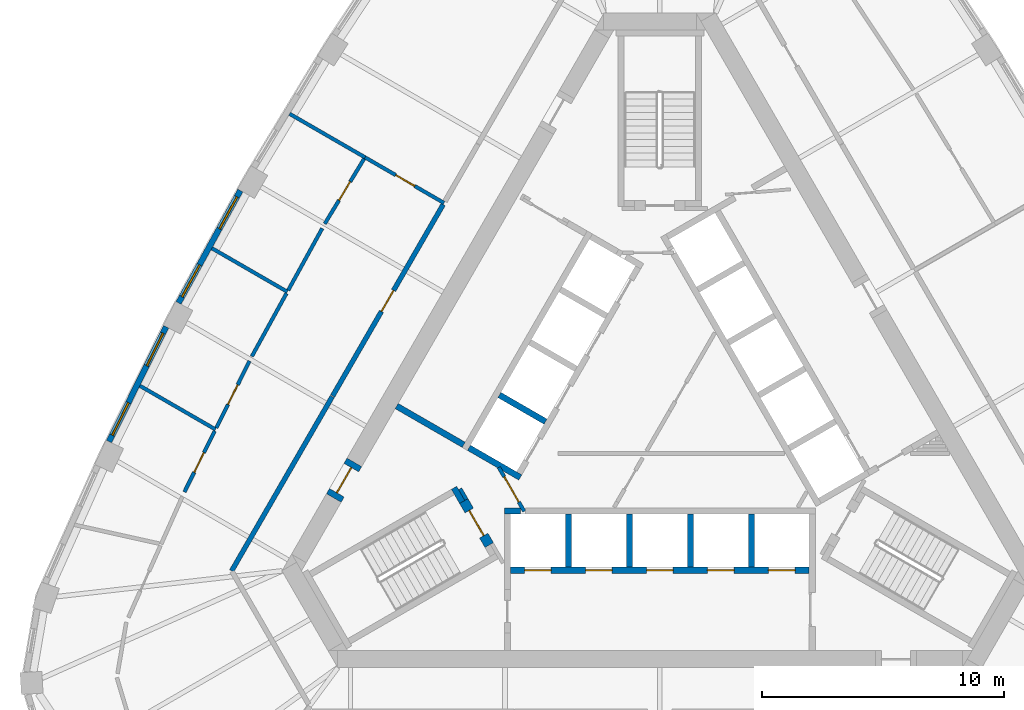
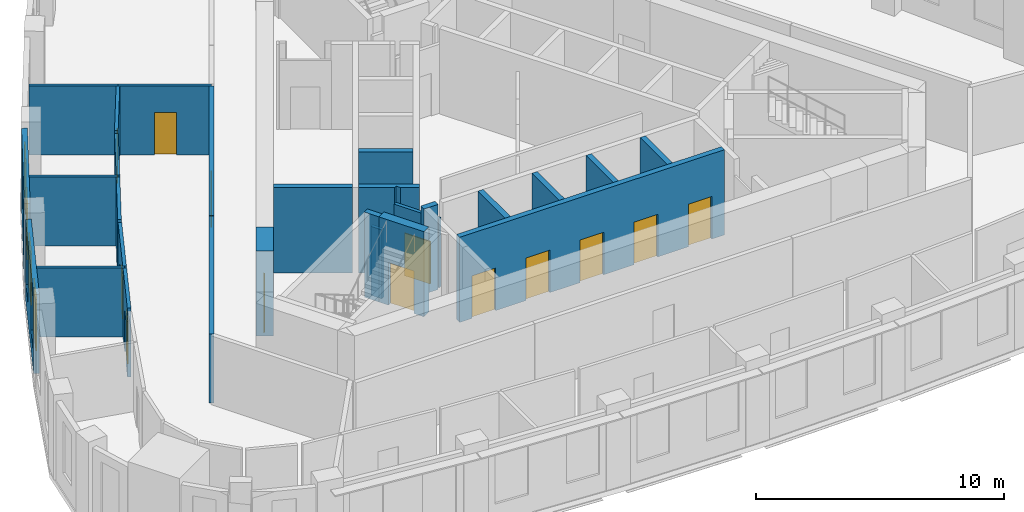
# One storey, part 4 of 11: 27 walls, 13 doors, 4 windows, 17 openings.
"""IFC4 building model written with IfcOpenShell, lengths in metres."""

from ifc_helpers import new_model, si_unit, direction, frame, frame_2d, origin, place, context, subcontext, project, spatial, polyline, rectangle, outline, extrude, material, layer, layer_set, type_object, element, fill, save


model = new_model("IFC4")

# Units and contexts
model_context = context("Model", 3, precision=1e-05, world=origin(), true_north=direction((0.0, 1.0)))
body_context = subcontext(model_context, "Body", "Model", "MODEL_VIEW")
ifc_project = project(units=[si_unit("LENGTHUNIT", "METRE"), si_unit("AREAUNIT", "SQUARE_METRE"), si_unit("VOLUMEUNIT", "CUBIC_METRE"), si_unit("PLANEANGLEUNIT", "RADIAN"), si_unit("MASSUNIT", "GRAM", prefix="KILO")], contexts=[model_context])

# Site, building, storey
site_placement = place(None, origin())
site = spatial("IfcSite", under=ifc_project, at=site_placement, CompositionType="ELEMENT")
building_placement = place(site_placement, origin())
building = spatial("IfcBuilding", under=site, at=building_placement, Name="Mestral Congress Tower", CompositionType="ELEMENT")
storey_placement = place(building_placement, frame((0.0, 0.0, 252.0)))
storey = spatial("IfcBuildingStorey", under=building, at=storey_placement, Name="L59", CompositionType="ELEMENT", Elevation=252.0)

# Wall
ifc_material_1 = material(Name="Fire-rated board partition")
ifc_layer_1 = layer(ifc_material_1, 0.14990234375)
ifc_layer_set_1 = layer_set([ifc_layer_1], Name="Fire-rated board partition")
wall_type_1 = type_object("IfcWallType", Name="Core partition 150", PredefinedType="PARTITIONING", material=ifc_layer_set_1)
wall_1_placement = place(storey_placement, frame((-8.251953125, -2.958251953125, 0.0), z_axis=(0.0, 0.0, 1.0), x_axis=(0.500174715838, -0.865924508047, 0.0)))
element("IfcWall", 1, at=wall_1_placement, inside=storey, type_object=wall_type_1, Name="L59 core wall", PredefinedType="PARTITIONING", context=body_context, shape_type="SweptSolid", body=[
    extrude(rectangle(XDim=0.513916015625, YDim=0.14990234375, at=frame_2d((0.2568359375, 0.0))), origin(), (0.0, 0.0, 1.0), 3.39990234375),
])

# Wall, opening, door
wall_2_placement = place(storey_placement, frame((-5.606201171875, -3.8896484375, 0.0), z_axis=(0.0, 0.0, 1.0), x_axis=(-0.500027713859, 0.866009402589, 0.0)))
wall_2 = element("IfcWall", 2, at=wall_2_placement, inside=storey, type_object=wall_type_1, Name="L59 door wall", PredefinedType="PARTITIONING", context=body_context, shape_type="SweptSolid", body=[
    extrude(rectangle(XDim=2.10009765625, YDim=0.14990234375, at=frame_2d((1.050048828125, 0.0))), origin(), (0.0, 0.0, 1.0), 3.39990234375),
])
opening_1_placement = place(wall_2_placement, frame((0.449951171875, 0.0, 0.0)))
opening_1 = element("IfcOpeningElement", 3, at=opening_1_placement, cuts=wall_2, Name="Opening CD3-FF", PredefinedType="OPENING", context=body_context, shape_type="SweptSolid", body=[
    extrude(rectangle(XDim=1.199951171875, YDim=2.10009765625, at=frame_2d((0.60009765625, 1.050048828125))), frame((0.0, 0.0849609375, 0.0), z_axis=(0.0, -1.0, 0.0), x_axis=(1.0, 0.0, 0.0)), (0.0, 0.0, 1.0), 0.169921875),
])
ifc_material_2 = material(Name="Fire-rated steel door set", Category="steel")
door_type_1 = type_object("IfcDoorType", Name="Core door CD 1200x2100", OperationType="SINGLE_SWING_LEFT", PredefinedType="DOOR", material=ifc_material_2)
door_1_placement = place(opening_1_placement, origin())
door_1 = element("IfcDoor", 4, at=door_1_placement, inside=storey, type_object=door_type_1, Name="Door CD3-FF", OperationType="SINGLE_SWING_LEFT", OverallHeight=2.10009765625, OverallWidth=1.199951171875, PredefinedType="DOOR", context=body_context, shape_type="SweptSolid", body=[
    extrude(rectangle(XDim=1.199951171875, YDim=2.10009765625, at=frame_2d((0.60009765625, 1.050048828125))), frame((0.0, 0.02490234375, 0.0), z_axis=(0.0, -1.0, 0.0), x_axis=(1.0, 0.0, 0.0)), (0.0, 0.0, 1.0), 0.050048828125),
])
fill(opening_1, door_1)

ifc_material_3 = material(Name="Concrete C60/75", Category="concrete")
ifc_layer_2 = layer(ifc_material_3, 0.699951171875)
ifc_layer_set_2 = layer_set([ifc_layer_2], Name="Concrete C60/75")
wall_type_2 = type_object("IfcWallType", Name="Core wall RC 700", PredefinedType="SOLIDWALL", material=ifc_layer_set_2)
wall_3_placement = place(storey_placement, frame((-13.474853515625, -3.339111328125, 0.0), z_axis=(0.0, 0.0, 1.0), x_axis=(0.499954529098, 0.86605165483, 0.0)))
wall_3 = element("IfcWall", 5, at=wall_3_placement, inside=storey, type_object=wall_type_2, Name="L59 door wall", PredefinedType="SOLIDWALL", context=body_context, shape_type="SweptSolid", body=[
    extrude(rectangle(XDim=1.699951171875, YDim=0.699951171875, at=frame_2d((0.85009765625, 0.0))), origin(), (0.0, 0.0, 1.0), 4.199951171875),
])
opening_2_placement = place(wall_3_placement, frame((0.25, 0.0, 0.0)))
opening_2 = element("IfcOpeningElement", 6, at=opening_2_placement, cuts=wall_3, Name="Opening XD3", PredefinedType="OPENING", context=body_context, shape_type="SweptSolid", body=[
    extrude(rectangle(XDim=1.199951171875, YDim=2.10009765625, at=frame_2d((0.60009765625, 1.050048828125))), frame((0.0, 0.35986328125, 0.0), z_axis=(0.0, -1.0, 0.0), x_axis=(1.0, 0.0, 0.0)), (0.0, 0.0, 1.0), 0.719970703125),
])
door_type_2 = type_object("IfcDoorType", Name="Core door XD 1200x2100", OperationType="SINGLE_SWING_LEFT", PredefinedType="DOOR", material=ifc_material_2)
door_2_placement = place(opening_2_placement, origin())
door_2 = element("IfcDoor", 7, at=door_2_placement, inside=storey, type_object=door_type_2, Name="Door XD3", OperationType="SINGLE_SWING_LEFT", OverallHeight=2.10009765625, OverallWidth=1.199951171875, PredefinedType="DOOR", context=body_context, shape_type="SweptSolid", body=[
    extrude(rectangle(XDim=1.199951171875, YDim=2.10009765625, at=frame_2d((0.60009765625, 1.050048828125))), frame((0.0, 0.02490234375, 0.0), z_axis=(0.0, -1.0, 0.0), x_axis=(1.0, 0.0, 0.0)), (0.0, 0.0, 1.0), 0.050048828125),
])
fill(opening_2, door_2)

# Wall, openings, windows
ifc_material_4 = material(Name="Precast concrete C40/50 with limestone facing", Category="masonry")
ifc_layer_3 = layer(ifc_material_4, 0.239990234375)
ifc_layer_set_3 = layer_set([ifc_layer_3], Name="Precast concrete C40/50 with limestone facing")
wall_type_3 = type_object("IfcWallType", Name="Facade stone wall 240", PredefinedType="SOLIDWALL", material=ifc_layer_set_3)
wall_4_placement = place(storey_placement, frame((-17.338134765625, 9.367919921875, 0.0), z_axis=(0.0, 0.0, 1.0), x_axis=(-0.481925825015, -0.876212017256, 0.0)))
wall_4 = element("IfcWall", 8, at=wall_4_placement, inside=storey, type_object=wall_type_3, Name="Facade wall F2-03", PredefinedType="SOLIDWALL", context=body_context, shape_type="SweptSolid", body=[
    extrude(rectangle(XDim=5.298583984375, YDim=0.239990234375, at=frame_2d((2.6494140625, 0.0))), origin(), (0.0, 0.0, 1.0), 3.89990234375),
])
opening_3_placement = place(wall_4_placement, frame((0.294677734375, 0.0, 0.89990234375)))
opening_3 = element("IfcOpeningElement", 9, at=opening_3_placement, cuts=wall_4, Name="Opening W4", PredefinedType="OPENING", context=body_context, shape_type="SweptSolid", body=[
    extrude(rectangle(XDim=1.5, YDim=2.550048828125, at=frame_2d((0.75, 1.27490234375))), frame((0.0, 0.1298828125, 0.0), z_axis=(0.0, -1.0, 0.0), x_axis=(1.0, 0.0, 0.0)), (0.0, 0.0, 1.0), 0.260009765625),
])
opening_4_placement = place(wall_4_placement, frame((3.503662109375, 0.0, 0.89990234375)))
opening_4 = element("IfcOpeningElement", 10, at=opening_4_placement, cuts=wall_4, Name="Opening W4", PredefinedType="OPENING", context=body_context, shape_type="SweptSolid", body=[
    extrude(rectangle(XDim=1.5, YDim=2.550048828125, at=frame_2d((0.75, 1.27490234375))), frame((0.0, 0.1298828125, 0.0), z_axis=(0.0, -1.0, 0.0), x_axis=(1.0, 0.0, 0.0)), (0.0, 0.0, 1.0), 0.260009765625),
])
ifc_material_5 = material(Name="Clear low-emissivity double glazing", Category="glass")
window_type = type_object("IfcWindowType", Name="Facade punched window 1500 x 2550 sill 900", PartitioningType="SINGLE_PANEL", PredefinedType="WINDOW", material=ifc_material_5)
window_1_placement = place(opening_3_placement, origin())
window_1 = element("IfcWindow", 11, at=window_1_placement, inside=storey, type_object=window_type, Name="Window F2-03a", OverallHeight=2.550048828125, OverallWidth=1.5, PartitioningType="SINGLE_PANEL", PredefinedType="WINDOW", context=body_context, shape_type="SweptSolid", body=[
    extrude(rectangle(XDim=1.5, YDim=2.550048828125, at=frame_2d((0.75, 1.27490234375))), frame((0.0, 0.0400390625, 0.0), z_axis=(0.0, -1.0, 0.0), x_axis=(1.0, 0.0, 0.0)), (0.0, 0.0, 1.0), 0.06005859375),
])
fill(opening_3, window_1)
window_2_placement = place(opening_4_placement, origin())
window_2 = element("IfcWindow", 12, at=window_2_placement, inside=storey, type_object=window_type, Name="Window F2-03b", OverallHeight=2.550048828125, OverallWidth=1.5, PartitioningType="SINGLE_PANEL", PredefinedType="WINDOW", context=body_context, shape_type="SweptSolid", body=[
    extrude(rectangle(XDim=1.5, YDim=2.550048828125, at=frame_2d((0.75, 1.27490234375))), frame((0.0, 0.0400390625, 0.0), z_axis=(0.0, -1.0, 0.0), x_axis=(1.0, 0.0, 0.0)), (0.0, 0.0, 1.0), 0.06005859375),
])
fill(opening_4, window_2)

wall_5_placement = place(storey_placement, frame((-20.407470703125, 3.739501953125, 0.0), z_axis=(0.0, 0.0, 1.0), x_axis=(-0.445129582031, -0.895466166419, 0.0)))
wall_5 = element("IfcWall", 13, at=wall_5_placement, inside=storey, type_object=wall_type_3, Name="Facade wall F2-04", PredefinedType="SOLIDWALL", context=body_context, shape_type="SweptSolid", body=[
    extrude(rectangle(XDim=5.29833984375, YDim=0.239990234375, at=frame_2d((2.649169921875, 0.0))), origin(), (0.0, 0.0, 1.0), 3.89990234375),
])
opening_5_placement = place(wall_5_placement, frame((0.294677734375, 0.0, 0.89990234375)))
opening_5 = element("IfcOpeningElement", 14, at=opening_5_placement, cuts=wall_5, Name="Opening W4", PredefinedType="OPENING", context=body_context, shape_type="SweptSolid", body=[
    extrude(rectangle(XDim=1.5, YDim=2.550048828125, at=frame_2d((0.75, 1.27490234375))), frame((0.0, 0.1298828125, 0.0), z_axis=(0.0, -1.0, 0.0), x_axis=(1.0, 0.0, 0.0)), (0.0, 0.0, 1.0), 0.260009765625),
])
opening_6_placement = place(wall_5_placement, frame((3.503662109375, 0.0, 0.89990234375)))
opening_6 = element("IfcOpeningElement", 15, at=opening_6_placement, cuts=wall_5, Name="Opening W4", PredefinedType="OPENING", context=body_context, shape_type="SweptSolid", body=[
    extrude(rectangle(XDim=1.5, YDim=2.550048828125, at=frame_2d((0.75, 1.27490234375))), frame((0.0, 0.1298828125, 0.0), z_axis=(0.0, -1.0, 0.0), x_axis=(1.0, 0.0, 0.0)), (0.0, 0.0, 1.0), 0.260009765625),
])
window_3_placement = place(opening_5_placement, origin())
window_3 = element("IfcWindow", 16, at=window_3_placement, inside=storey, type_object=window_type, Name="Window F2-04a", OverallHeight=2.550048828125, OverallWidth=1.5, PartitioningType="SINGLE_PANEL", PredefinedType="WINDOW", context=body_context, shape_type="SweptSolid", body=[
    extrude(rectangle(XDim=1.5, YDim=2.550048828125, at=frame_2d((0.75, 1.27490234375))), frame((0.0, 0.0400390625, 0.0), z_axis=(0.0, -1.0, 0.0), x_axis=(1.0, 0.0, 0.0)), (0.0, 0.0, 1.0), 0.06005859375),
])
fill(opening_5, window_3)
window_4_placement = place(opening_6_placement, origin())
window_4 = element("IfcWindow", 17, at=window_4_placement, inside=storey, type_object=window_type, Name="Window F2-04b", OverallHeight=2.550048828125, OverallWidth=1.5, PartitioningType="SINGLE_PANEL", PredefinedType="WINDOW", context=body_context, shape_type="SweptSolid", body=[
    extrude(rectangle(XDim=1.5, YDim=2.550048828125, at=frame_2d((0.75, 1.27490234375))), frame((0.0, 0.0400390625, 0.0), z_axis=(0.0, -1.0, 0.0), x_axis=(1.0, 0.0, 0.0)), (0.0, 0.0, 1.0), 0.06005859375),
])
fill(opening_6, window_4)

# Wall
ifc_material_6 = material(Name="Plasterboard partition on steel studs", Category="steel")
ifc_layer_4 = layer(ifc_material_6, 0.14990234375)
ifc_layer_set_4 = layer_set([ifc_layer_4], Name="Plasterboard partition on steel studs")
wall_type_4 = type_object("IfcWallType", Name="Office partition 150", PredefinedType="PARTITIONING", material=ifc_layer_set_4)
wall_6_placement = place(storey_placement, frame((-12.182373046875, 10.73828125, 0.0), z_axis=(0.0, 0.0, 1.0), x_axis=(-0.866042351264, 0.499970644955, 0.0)))
element("IfcWall", 18, at=wall_6_placement, inside=storey, type_object=wall_type_4, Name="Partition", PredefinedType="PARTITIONING", context=body_context, shape_type="SweptSolid", body=[
    extrude(rectangle(XDim=3.604736328125, YDim=0.14990234375, at=frame_2d((1.80224609375, 0.0))), origin(), (0.0, 0.0, 1.0), 3.39990234375),
])

# Wall, opening, door
wall_7_placement = place(storey_placement, frame((-12.189208984375, 10.7421875, 0.0), z_axis=(0.0, 0.0, 1.0), x_axis=(0.866023060049, -0.500004059447, 0.0)))
wall_7 = element("IfcWall", 19, at=wall_7_placement, inside=storey, type_object=wall_type_4, Name="Partition", PredefinedType="PARTITIONING", context=body_context, shape_type="SweptSolid", body=[
    extrude(rectangle(XDim=3.77734375, YDim=0.14990234375, at=frame_2d((1.888671875, 0.0))), origin(), (0.0, 0.0, 1.0), 3.39990234375),
])
opening_7_placement = place(wall_7_placement, frame((1.477294921875, 0.0, 0.0)))
opening_7 = element("IfcOpeningElement", 20, at=opening_7_placement, cuts=wall_7, Name="Opening O10-012", PredefinedType="OPENING", context=body_context, shape_type="SweptSolid", body=[
    extrude(rectangle(XDim=0.89990234375, YDim=2.10009765625, at=frame_2d((0.449951171875, 1.050048828125))), frame((0.0, 0.0849609375, 0.0), z_axis=(0.0, -1.0, 0.0), x_axis=(1.0, 0.0, 0.0)), (0.0, 0.0, 1.0), 0.169921875),
])
ifc_material_7 = material(Name="Timber door set", Category="wood")
door_type_3 = type_object("IfcDoorType", Name="Office door 900x2100", OperationType="SINGLE_SWING_LEFT", PredefinedType="DOOR", material=ifc_material_7)
door_3_placement = place(opening_7_placement, origin())
door_3 = element("IfcDoor", 21, at=door_3_placement, inside=storey, type_object=door_type_3, Name="Door O10-012", OperationType="SINGLE_SWING_RIGHT", OverallHeight=2.10009765625, OverallWidth=0.89990234375, PredefinedType="DOOR", context=body_context, shape_type="SweptSolid", body=[
    extrude(rectangle(XDim=0.89990234375, YDim=2.10009765625, at=frame_2d((0.449951171875, 1.050048828125))), frame((0.0, 0.02490234375, 0.0), z_axis=(0.0, -1.0, 0.0), x_axis=(1.0, 0.0, 0.0)), (0.0, 0.0, 1.0), 0.050048828125),
])
fill(opening_7, door_3)

# Wall
wall_8_placement = place(storey_placement, frame((-15.394287109375, 5.18310546875, 0.0), z_axis=(0.0, 0.0, 1.0), x_axis=(-0.866039935929, 0.499974828743, 0.0)))
element("IfcWall", 22, at=wall_8_placement, inside=storey, type_object=wall_type_4, Name="Partition", PredefinedType="PARTITIONING", context=body_context, shape_type="SweptSolid", body=[
    extrude(rectangle(XDim=3.600830078125, YDim=0.14990234375, at=frame_2d((1.80029296875, 0.0))), origin(), (0.0, 0.0, 1.0), 3.39990234375),
])

# Wall, opening, door
wall_9_placement = place(storey_placement, frame((-13.84765625, 7.994873046875, 0.0), z_axis=(0.0, 0.0, 1.0), x_axis=(0.51785968959, 0.855465570258, 0.0)))
wall_9 = element("IfcWall", 23, at=wall_9_placement, inside=storey, type_object=wall_type_4, Name="Partition", PredefinedType="PARTITIONING", context=body_context, shape_type="SweptSolid", body=[
    extrude(rectangle(XDim=3.134033203125, YDim=0.14990234375, at=frame_2d((1.56689453125, 0.0))), origin(), (0.0, 0.0, 1.0), 3.39990234375),
])
opening_8_placement = place(wall_9_placement, frame((1.134033203125, 0.0, 0.0)))
opening_8 = element("IfcOpeningElement", 24, at=opening_8_placement, cuts=wall_9, Name="Opening O10-013", PredefinedType="OPENING", context=body_context, shape_type="SweptSolid", body=[
    extrude(rectangle(XDim=0.89990234375, YDim=2.10009765625, at=frame_2d((0.449951171875, 1.050048828125))), frame((0.0, 0.0849609375, 0.0), z_axis=(0.0, -1.0, 0.0), x_axis=(1.0, 0.0, 0.0)), (0.0, 0.0, 1.0), 0.169921875),
])
door_4_placement = place(opening_8_placement, origin())
door_4 = element("IfcDoor", 25, at=door_4_placement, inside=storey, type_object=door_type_3, Name="Door O10-013", OperationType="SINGLE_SWING_RIGHT", OverallHeight=2.10009765625, OverallWidth=0.89990234375, PredefinedType="DOOR", context=body_context, shape_type="SweptSolid", body=[
    extrude(rectangle(XDim=0.89990234375, YDim=2.10009765625, at=frame_2d((0.449951171875, 1.050048828125))), frame((0.0, 0.02490234375, 0.0), z_axis=(0.0, -1.0, 0.0), x_axis=(1.0, 0.0, 0.0)), (0.0, 0.0, 1.0), 0.050048828125),
])
fill(opening_8, door_4)

# Walls
wall_10_placement = place(storey_placement, frame((-13.950927734375, 7.80712890625, 0.0), z_axis=(0.0, 0.0, 1.0), x_axis=(-0.481889860414, -0.876231797203, 0.0)))
element("IfcWall", 26, at=wall_10_placement, inside=storey, type_object=wall_type_4, Name="Partition", PredefinedType="PARTITIONING", context=body_context, shape_type="SweptSolid", body=[
    extrude(rectangle(XDim=2.919677734375, YDim=0.14990234375, at=frame_2d((1.4599609375, 0.0))), origin(), (0.0, 0.0, 1.0), 3.39990234375),
])
wall_11_placement = place(storey_placement, frame((-18.36328125, -0.505859375, 0.0), z_axis=(0.0, 0.0, 1.0), x_axis=(-0.866048087663, 0.499960708312, 0.0)))
element("IfcWall", 27, at=wall_11_placement, inside=storey, type_object=wall_type_4, Name="Partition", PredefinedType="PARTITIONING", context=body_context, shape_type="SweptSolid", body=[
    extrude(rectangle(XDim=3.607177734375, YDim=0.14990234375, at=frame_2d((1.8037109375, 0.0))), origin(), (0.0, 0.0, 1.0), 3.39990234375),
])
wall_12_placement = place(storey_placement, frame((-15.430419921875, 5.1171875, 0.0), z_axis=(0.0, 0.0, 1.0), x_axis=(-0.481893525381, -0.876229781619, 0.0)))
element("IfcWall", 28, at=wall_12_placement, inside=storey, type_object=wall_type_4, Name="Partition", PredefinedType="PARTITIONING", context=body_context, shape_type="SweptSolid", body=[
    extrude(rectangle(XDim=2.972412109375, YDim=0.14990234375, at=frame_2d((1.486328125, 0.0))), origin(), (0.0, 0.0, 1.0), 3.39990234375),
])

# Wall, opening, door
wall_13_placement = place(storey_placement, frame((-18.330078125, -0.4384765625, 0.0), z_axis=(0.0, 0.0, 1.0), x_axis=(0.445184199442, 0.895439014432, 0.0)))
wall_13 = element("IfcWall", 29, at=wall_13_placement, inside=storey, type_object=wall_type_4, Name="Partition", PredefinedType="PARTITIONING", context=body_context, shape_type="SweptSolid", body=[
    extrude(rectangle(XDim=3.08154296875, YDim=0.14990234375, at=frame_2d((1.540771484375, 0.0))), origin(), (0.0, 0.0, 1.0), 3.39990234375),
])
opening_9_placement = place(wall_13_placement, frame((1.081298828125, 0.0, 0.0)))
opening_9 = element("IfcOpeningElement", 30, at=opening_9_placement, cuts=wall_13, Name="Opening O10-014", PredefinedType="OPENING", context=body_context, shape_type="SweptSolid", body=[
    extrude(rectangle(XDim=0.89990234375, YDim=2.10009765625, at=frame_2d((0.449951171875, 1.050048828125))), frame((0.0, 0.0849609375, 0.0), z_axis=(0.0, -1.0, 0.0), x_axis=(1.0, 0.0, 0.0)), (0.0, 0.0, 1.0), 0.169921875),
])
door_5_placement = place(opening_9_placement, origin())
door_5 = element("IfcDoor", 31, at=door_5_placement, inside=storey, type_object=door_type_3, Name="Door O10-014", OperationType="SINGLE_SWING_LEFT", OverallHeight=2.10009765625, OverallWidth=0.89990234375, PredefinedType="DOOR", context=body_context, shape_type="SweptSolid", body=[
    extrude(rectangle(XDim=0.89990234375, YDim=2.10009765625, at=frame_2d((0.449951171875, 1.050048828125))), frame((0.0, 0.02490234375, 0.0), z_axis=(0.0, -1.0, 0.0), x_axis=(1.0, 0.0, 0.0)), (0.0, 0.0, 1.0), 0.050048828125),
])
fill(opening_9, door_5)

wall_14_placement = place(storey_placement, frame((-19.648193359375, -3.08984375, 0.0), z_axis=(0.0, 0.0, 1.0), x_axis=(0.445162501923, 0.89544980143, 0.0)))
wall_14 = element("IfcWall", 32, at=wall_14_placement, inside=storey, type_object=wall_type_4, Name="Partition", PredefinedType="PARTITIONING", context=body_context, shape_type="SweptSolid", body=[
    extrude(rectangle(XDim=2.810791015625, YDim=0.14990234375, at=frame_2d((1.4052734375, 0.0))), origin(), (0.0, 0.0, 1.0), 3.39990234375),
])
opening_10_placement = place(wall_14_placement, frame((0.91064453125, 0.0, 0.0)))
opening_10 = element("IfcOpeningElement", 33, at=opening_10_placement, cuts=wall_14, Name="Opening O10-015", PredefinedType="OPENING", context=body_context, shape_type="SweptSolid", body=[
    extrude(rectangle(XDim=0.89990234375, YDim=2.10009765625, at=frame_2d((0.449951171875, 1.050048828125))), frame((0.0, 0.0849609375, 0.0), z_axis=(0.0, -1.0, 0.0), x_axis=(1.0, 0.0, 0.0)), (0.0, 0.0, 1.0), 0.169921875),
])
door_6_placement = place(opening_10_placement, origin())
door_6 = element("IfcDoor", 34, at=door_6_placement, inside=storey, type_object=door_type_3, Name="Door O10-015", OperationType="SINGLE_SWING_LEFT", OverallHeight=2.10009765625, OverallWidth=0.89990234375, PredefinedType="DOOR", context=body_context, shape_type="SweptSolid", body=[
    extrude(rectangle(XDim=0.89990234375, YDim=2.10009765625, at=frame_2d((0.449951171875, 1.050048828125))), frame((0.0, 0.02490234375, 0.0), z_axis=(0.0, -1.0, 0.0), x_axis=(1.0, 0.0, 0.0)), (0.0, 0.0, 1.0), 0.050048828125),
])
fill(opening_10, door_6)

ifc_material_8 = material(Name="Dense masonry wall, plastered", Category="masonry")
ifc_layer_5 = layer(ifc_material_8, 0.199951171875)
ifc_layer_set_5 = layer_set([ifc_layer_5], Name="Dense masonry wall, plastered")
wall_type_5 = type_object("IfcWallType", Name="Office tenancy wall 200", PredefinedType="PARTITIONING", material=ifc_layer_set_5)
wall_15_placement = place(storey_placement, frame((-8.95556640625, 8.78857421875, 0.0), z_axis=(0.0, 0.0, 1.0), x_axis=(-0.500000119864, -0.866025334581, 0.0)))
wall_15 = element("IfcWall", 35, at=wall_15_placement, inside=storey, type_object=wall_type_5, Name="Tenancy wall", PredefinedType="PARTITIONING", context=body_context, shape_type="SweptSolid", body=[
    extrude(rectangle(XDim=9.13330078125, YDim=0.199951171875, at=frame_2d((4.566650390625, 0.0))), origin(), (0.0, 0.0, 1.0), 3.39990234375),
])
opening_11_placement = place(wall_15_placement, frame((4.10009765625, 0.0, 0.0)))
opening_11 = element("IfcOpeningElement", 36, at=opening_11_placement, cuts=wall_15, Name="Opening O10-016", PredefinedType="OPENING", context=body_context, shape_type="SweptSolid", body=[
    extrude(rectangle(XDim=1.0, YDim=2.10009765625, at=frame_2d((0.5, 1.050048828125))), frame((0.0, 0.10986328125, 0.0), z_axis=(0.0, -1.0, 0.0), x_axis=(1.0, 0.0, 0.0)), (0.0, 0.0, 1.0), 0.219970703125),
])
ifc_material_9 = material(Name="Fire-rated timber door set", Category="wood")
door_type_4 = type_object("IfcDoorType", Name="Office tenancy entrance door 1000x2100", OperationType="SINGLE_SWING_LEFT", PredefinedType="DOOR", material=ifc_material_9)
door_7_placement = place(opening_11_placement, origin())
door_7 = element("IfcDoor", 37, at=door_7_placement, inside=storey, type_object=door_type_4, Name="Door O10-016", OperationType="SINGLE_SWING_RIGHT", OverallHeight=2.10009765625, OverallWidth=1.0, PredefinedType="DOOR", context=body_context, shape_type="SweptSolid", body=[
    extrude(rectangle(XDim=1.0, YDim=2.10009765625, at=frame_2d((0.5, 1.050048828125))), frame((0.0, 0.02490234375, 0.0), z_axis=(0.0, -1.0, 0.0), x_axis=(1.0, 0.0, 0.0)), (0.0, 0.0, 1.0), 0.050048828125),
])
fill(opening_11, door_7)

# Walls
wall_16_placement = place(storey_placement, frame((-13.537109375, 0.852783203125, 0.0), z_axis=(0.0, 0.0, 1.0), x_axis=(-0.500009576767, -0.866019874565, 0.0)))
element("IfcWall", 38, at=wall_16_placement, inside=storey, type_object=wall_type_5, Name="Tenancy wall", PredefinedType="PARTITIONING", context=body_context, shape_type="SweptSolid", body=[
    extrude(rectangle(XDim=8.317138671875, YDim=0.199951171875, at=frame_2d((4.15869140625, 0.0))), origin(), (0.0, 0.0, 1.0), 3.39990234375),
])
ifc_layer_6 = layer(ifc_material_3, 0.25)
ifc_layer_set_6 = layer_set([ifc_layer_6], Name="Concrete C60/75")
wall_type_6 = type_object("IfcWallType", Name="Shaft wall RC 250", PredefinedType="SOLIDWALL", material=ifc_layer_set_6)
wall_17_placement = place(storey_placement, frame((-6.425048828125, -3.875, 0.0), z_axis=(0.0, 0.0, 1.0), x_axis=(1.0, 0.0, 0.0)))
element("IfcWall", 39, at=wall_17_placement, inside=storey, type_object=wall_type_6, Name="L59 core wall", PredefinedType="SOLIDWALL", context=body_context, shape_type="SweptSolid", body=[
    extrude(rectangle(XDim=0.657958984375, YDim=0.25, at=frame_2d((0.3291015625, 0.0))), origin(), (0.0, 0.0, 1.0), 4.199951171875),
])
for number, where, z_axis, x_axis, name in (
    (40, (3.780029296875, -4.0, 0.0), (0.0, 0.0, 1.0), (0.0, -1.0, 0.0), "L59 core wall"),
    (41, (1.260009765625, -4.0, 0.0), (0.0, 0.0, 1.0), (0.0, -1.0, 0.0), "L59 core wall"),
    (42, (-1.260009765625, -4.0, 0.0), (0.0, 0.0, 1.0), (0.0, -1.0, 0.0), "L59 core wall"),
    (43, (-3.780029296875, -4.0, 0.0), (0.0, 0.0, 1.0), (0.0, -1.0, 0.0), "L59 core wall"),
    (44, (-4.72412109375, -0.182373046875, 0.0), (0.0, 0.0, 1.0), (-0.866008176907, 0.50002983664, 0.0), "L59 core wall"),
):
    element("IfcWall", number, at=place(storey_placement, frame(where, z_axis=z_axis, x_axis=x_axis)), inside=storey, type_object=wall_type_6, Name=name, PredefinedType="SOLIDWALL", context=body_context, shape_type="SweptSolid", body=[
        extrude(rectangle(XDim=2.199951171875, YDim=0.25, at=frame_2d((1.10009765625, 0.0))), origin(), (0.0, 0.0, 1.0), 4.199951171875),
    ])
wall_18_placement = place(storey_placement, origin())
element("IfcWall", 45, at=wall_18_placement, inside=storey, type_object=wall_type_6, Name="L59 core wall", PredefinedType="SOLIDWALL", context=body_context, shape_type="SweptSolid", body=[
    extrude(outline(polyline([(-5.921630859375, -2.256591796875), (-5.921630859375, -2.256591796875), (-5.705078125, -2.381591796875), (-5.830078125, -2.597900390625), (-6.48291015625, -2.22119140625), (-6.59130859375, -2.033447265625), (-6.59130859375, -2.033447265625), (-6.69970703125, -2.095947265625), (-7.951904296875, -1.373046875), (-7.826904296875, -1.156494140625), (-5.921630859375, -2.256591796875)])), origin(), (0.0, 0.0, 1.0), 4.199951171875),
])
wall_19_placement = place(storey_placement, frame((-8.10595703125, -1.139892578125, 0.0), z_axis=(0.0, 0.0, 1.0), x_axis=(-0.866008981251, 0.500028443584, 0.0)))
element("IfcWall", 46, at=wall_19_placement, inside=storey, type_object=wall_type_6, Name="L59 core wall", PredefinedType="SOLIDWALL", context=body_context, shape_type="SweptSolid", body=[
    extrude(rectangle(XDim=3.199951171875, YDim=0.25, at=frame_2d((1.60009765625, 0.0))), origin(), (0.0, 0.0, 1.0), 4.199951171875),
])

# Wall, openings, doors
wall_20_placement = place(storey_placement, frame((-6.175048828125, -6.324951171875, 0.0), z_axis=(0.0, 0.0, 1.0), x_axis=(1.0, 0.0, 0.0)))
wall_20 = element("IfcWall", 47, at=wall_20_placement, inside=storey, type_object=wall_type_6, Name="L59 door wall", PredefinedType="SOLIDWALL", context=body_context, shape_type="SweptSolid", body=[
    extrude(rectangle(XDim=12.35009765625, YDim=0.25, at=frame_2d((6.175048828125, 0.0))), origin(), (0.0, 0.0, 1.0), 4.199951171875),
])
opening_12_placement = place(wall_20_placement, frame((0.5849609375, 0.0, 0.0)))
opening_12 = element("IfcOpeningElement", 48, at=opening_12_placement, cuts=wall_20, Name="Opening LD-SOB1", PredefinedType="OPENING", context=body_context, shape_type="SweptSolid", body=[
    extrude(rectangle(XDim=1.10009765625, YDim=2.10009765625, at=frame_2d((0.550048828125, 1.050048828125))), frame((0.0, 0.135009765625, 0.0), z_axis=(0.0, -1.0, 0.0), x_axis=(1.0, 0.0, 0.0)), (0.0, 0.0, 1.0), 0.27001953125),
])
opening_13_placement = place(wall_20_placement, frame((3.10498046875, 0.0, 0.0)))
opening_13 = element("IfcOpeningElement", 49, at=opening_13_placement, cuts=wall_20, Name="Opening LD-SOB2", PredefinedType="OPENING", context=body_context, shape_type="SweptSolid", body=[
    extrude(rectangle(XDim=1.10009765625, YDim=2.10009765625, at=frame_2d((0.550048828125, 1.050048828125))), frame((0.0, 0.135009765625, 0.0), z_axis=(0.0, -1.0, 0.0), x_axis=(1.0, 0.0, 0.0)), (0.0, 0.0, 1.0), 0.27001953125),
])
opening_14_placement = place(wall_20_placement, frame((5.625, 0.0, 0.0)))
opening_14 = element("IfcOpeningElement", 50, at=opening_14_placement, cuts=wall_20, Name="Opening LD-SOB3", PredefinedType="OPENING", context=body_context, shape_type="SweptSolid", body=[
    extrude(rectangle(XDim=1.10009765625, YDim=2.10009765625, at=frame_2d((0.550048828125, 1.050048828125))), frame((0.0, 0.135009765625, 0.0), z_axis=(0.0, -1.0, 0.0), x_axis=(1.0, 0.0, 0.0)), (0.0, 0.0, 1.0), 0.27001953125),
])
opening_15_placement = place(wall_20_placement, frame((8.14501953125, 0.0, 0.0)))
opening_15 = element("IfcOpeningElement", 51, at=opening_15_placement, cuts=wall_20, Name="Opening LD-SOB4", PredefinedType="OPENING", context=body_context, shape_type="SweptSolid", body=[
    extrude(rectangle(XDim=1.10009765625, YDim=2.10009765625, at=frame_2d((0.550048828125, 1.050048828125))), frame((0.0, 0.135009765625, 0.0), z_axis=(0.0, -1.0, 0.0), x_axis=(1.0, 0.0, 0.0)), (0.0, 0.0, 1.0), 0.27001953125),
])
opening_16_placement = place(wall_20_placement, frame((10.6650390625, 0.0, 0.0)))
opening_16 = element("IfcOpeningElement", 52, at=opening_16_placement, cuts=wall_20, Name="Opening LD-SOB5", PredefinedType="OPENING", context=body_context, shape_type="SweptSolid", body=[
    extrude(rectangle(XDim=1.10009765625, YDim=2.10009765625, at=frame_2d((0.550048828125, 1.050048828125))), frame((0.0, 0.135009765625, 0.0), z_axis=(0.0, -1.0, 0.0), x_axis=(1.0, 0.0, 0.0)), (0.0, 0.0, 1.0), 0.27001953125),
])
door_type_5 = type_object("IfcDoorType", Name="Core door LD 1100x2100", OperationType="DOUBLE_DOOR_SLIDING", PredefinedType="DOOR", material=ifc_material_2)
door_8_placement = place(opening_12_placement, origin())
door_8 = element("IfcDoor", 53, at=door_8_placement, inside=storey, type_object=door_type_5, Name="Door LD-SOB1", OperationType="DOUBLE_DOOR_SLIDING", OverallHeight=2.10009765625, OverallWidth=1.10009765625, PredefinedType="DOOR", context=body_context, shape_type="SweptSolid", body=[
    extrude(rectangle(XDim=1.10009765625, YDim=2.10009765625, at=frame_2d((0.550048828125, 1.050048828125))), frame((0.0, 0.02490234375, 0.0), z_axis=(0.0, -1.0, 0.0), x_axis=(1.0, 0.0, 0.0)), (0.0, 0.0, 1.0), 0.050048828125),
])
fill(opening_12, door_8)
door_9_placement = place(opening_13_placement, origin())
door_9 = element("IfcDoor", 54, at=door_9_placement, inside=storey, type_object=door_type_5, Name="Door LD-SOB2", OperationType="DOUBLE_DOOR_SLIDING", OverallHeight=2.10009765625, OverallWidth=1.10009765625, PredefinedType="DOOR", context=body_context, shape_type="SweptSolid", body=[
    extrude(rectangle(XDim=1.10009765625, YDim=2.10009765625, at=frame_2d((0.550048828125, 1.050048828125))), frame((0.0, 0.02490234375, 0.0), z_axis=(0.0, -1.0, 0.0), x_axis=(1.0, 0.0, 0.0)), (0.0, 0.0, 1.0), 0.050048828125),
])
fill(opening_13, door_9)
door_10_placement = place(opening_14_placement, origin())
door_10 = element("IfcDoor", 55, at=door_10_placement, inside=storey, type_object=door_type_5, Name="Door LD-SOB3", OperationType="DOUBLE_DOOR_SLIDING", OverallHeight=2.10009765625, OverallWidth=1.10009765625, PredefinedType="DOOR", context=body_context, shape_type="SweptSolid", body=[
    extrude(rectangle(XDim=1.10009765625, YDim=2.10009765625, at=frame_2d((0.550048828125, 1.050048828125))), frame((0.0, 0.02490234375, 0.0), z_axis=(0.0, -1.0, 0.0), x_axis=(1.0, 0.0, 0.0)), (0.0, 0.0, 1.0), 0.050048828125),
])
fill(opening_14, door_10)
door_11_placement = place(opening_15_placement, origin())
door_11 = element("IfcDoor", 56, at=door_11_placement, inside=storey, type_object=door_type_5, Name="Door LD-SOB4", OperationType="DOUBLE_DOOR_SLIDING", OverallHeight=2.10009765625, OverallWidth=1.10009765625, PredefinedType="DOOR", context=body_context, shape_type="SweptSolid", body=[
    extrude(rectangle(XDim=1.10009765625, YDim=2.10009765625, at=frame_2d((0.550048828125, 1.050048828125))), frame((0.0, 0.02490234375, 0.0), z_axis=(0.0, -1.0, 0.0), x_axis=(1.0, 0.0, 0.0)), (0.0, 0.0, 1.0), 0.050048828125),
])
fill(opening_15, door_11)
door_12_placement = place(opening_16_placement, origin())
door_12 = element("IfcDoor", 57, at=door_12_placement, inside=storey, type_object=door_type_5, Name="Door LD-SOB5", OperationType="DOUBLE_DOOR_SLIDING", OverallHeight=2.10009765625, OverallWidth=1.10009765625, PredefinedType="DOOR", context=body_context, shape_type="SweptSolid", body=[
    extrude(rectangle(XDim=1.10009765625, YDim=2.10009765625, at=frame_2d((0.550048828125, 1.050048828125))), frame((0.0, 0.02490234375, 0.0), z_axis=(0.0, -1.0, 0.0), x_axis=(1.0, 0.0, 0.0)), (0.0, 0.0, 1.0), 0.050048828125),
])
fill(opening_16, door_12)

# Wall
ifc_layer_7 = layer(ifc_material_3, 0.25)
ifc_layer_set_7 = layer_set([ifc_layer_7], Name="Concrete C60/75")
wall_type_7 = type_object("IfcWallType", Name="Stair wall RC 250", PredefinedType="SOLIDWALL", material=ifc_layer_set_7)
wall_21_placement = place(storey_placement, frame((-8.167724609375, -3.503173828125, 0.0), z_axis=(0.0, 0.0, 1.0), x_axis=(-0.499952099219, 0.866053057547, 0.0)))
element("IfcWall", 58, at=wall_21_placement, inside=storey, type_object=wall_type_7, Name="L59 core wall", PredefinedType="SOLIDWALL", context=body_context, shape_type="SweptSolid", body=[
    extrude(rectangle(XDim=0.6748046875, YDim=0.25, at=frame_2d((0.33740234375, 0.0))), origin(), (0.0, 0.0, 1.0), 4.199951171875),
])

# Wall, opening, door
ifc_layer_8 = layer(ifc_material_3, 0.39990234375)
ifc_layer_set_8 = layer_set([ifc_layer_8], Name="Concrete C60/75")
wall_type_8 = type_object("IfcWallType", Name="Stair wall RC 250 door-wall 400", PredefinedType="SOLIDWALL", material=ifc_layer_set_8)
wall_22_placement = place(storey_placement, frame((-8.102783203125, -3.4658203125, 0.0), z_axis=(0.0, 0.0, 1.0), x_axis=(0.500078061341, -0.865980330357, 0.0)))
wall_22 = element("IfcWall", 59, at=wall_22_placement, inside=storey, type_object=wall_type_8, Name="L59 door wall", PredefinedType="SOLIDWALL", context=body_context, shape_type="SweptSolid", body=[
    extrude(rectangle(XDim=2.099853515625, YDim=0.39990234375, at=frame_2d((1.0498046875, 0.0))), origin(), (0.0, 0.0, 1.0), 4.199951171875),
])
opening_17_placement = place(wall_22_placement, frame((0.449951171875, 0.0, 0.0)))
opening_17 = element("IfcOpeningElement", 60, at=opening_17_placement, cuts=wall_22, Name="Opening ST-D3", PredefinedType="OPENING", context=body_context, shape_type="SweptSolid", body=[
    extrude(rectangle(XDim=1.199951171875, YDim=2.10009765625, at=frame_2d((0.60009765625, 1.050048828125))), frame((0.0, 0.2099609375, 0.0), z_axis=(0.0, -1.0, 0.0), x_axis=(1.0, 0.0, 0.0)), (0.0, 0.0, 1.0), 0.419921875),
])
door_type_6 = type_object("IfcDoorType", Name="Core door ST 1200x2100", OperationType="SINGLE_SWING_LEFT", PredefinedType="DOOR", material=ifc_material_2)
door_13_placement = place(opening_17_placement, origin())
door_13 = element("IfcDoor", 61, at=door_13_placement, inside=storey, type_object=door_type_6, Name="Door ST-D3", OperationType="SINGLE_SWING_LEFT", OverallHeight=2.10009765625, OverallWidth=1.199951171875, PredefinedType="DOOR", context=body_context, shape_type="SweptSolid", body=[
    extrude(rectangle(XDim=1.199951171875, YDim=2.10009765625, at=frame_2d((0.60009765625, 1.050048828125))), frame((0.0, 0.02490234375, 0.0), z_axis=(0.0, -1.0, 0.0), x_axis=(1.0, 0.0, 0.0)), (0.0, 0.0, 1.0), 0.050048828125),
])
fill(opening_17, door_13)

save(model, "model.ifc")
